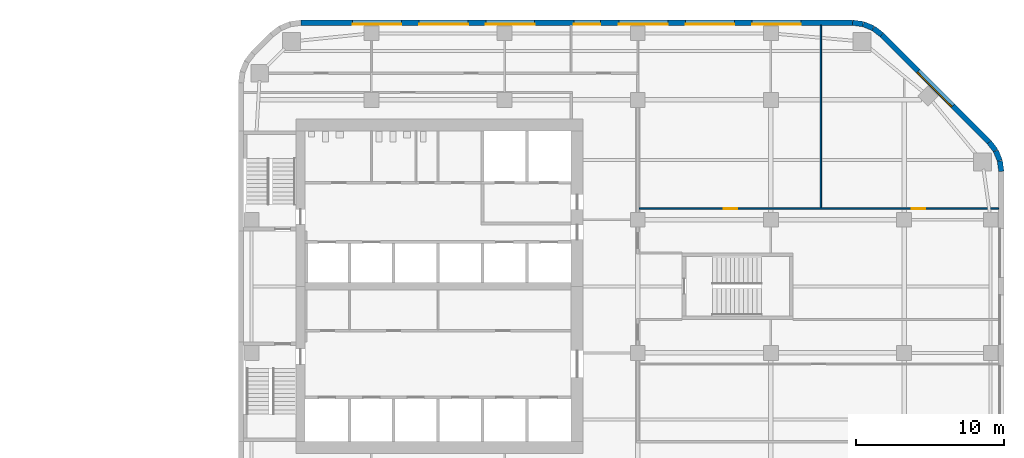
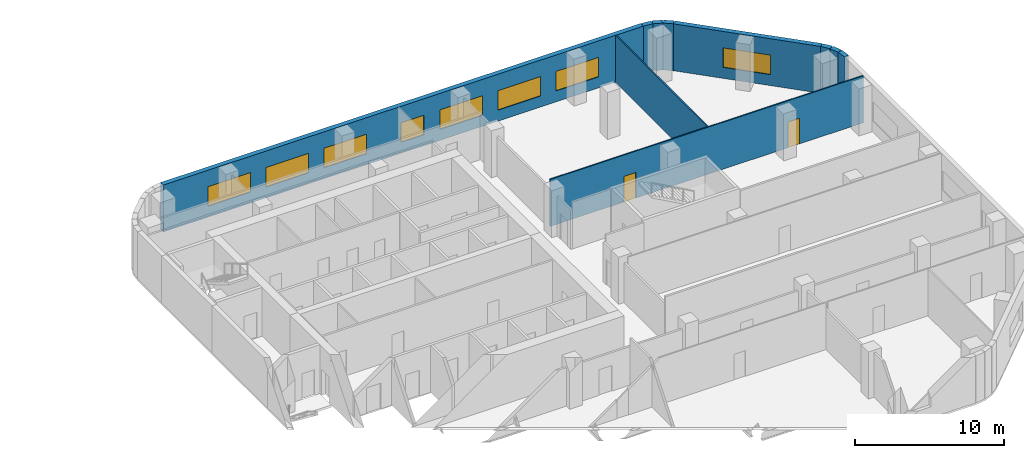
# One storey, part 11 of 15: 10 walls, 8 windows, 2 doors, 10 openings.
"""IFC4 building model written with IfcOpenShell, lengths in metres."""

from ifc_helpers import new_model, si_unit, direction, frame, frame_2d, origin, place, context, subcontext, project, spatial, rectangle, extrude, material, layer, layer_set, type_object, element, fill, save


model = new_model("IFC4")

# Units and contexts
model_context = context("Model", 3, precision=1e-05, world=origin(), true_north=direction((0.0, 1.0)))
body_context = subcontext(model_context, "Body", "Model", "MODEL_VIEW")
ifc_project = project(units=[si_unit("LENGTHUNIT", "METRE"), si_unit("AREAUNIT", "SQUARE_METRE"), si_unit("VOLUMEUNIT", "CUBIC_METRE"), si_unit("PLANEANGLEUNIT", "RADIAN"), si_unit("MASSUNIT", "GRAM", prefix="KILO")], contexts=[model_context])

# Site, building, storey
site_placement = place(None, origin())
site = spatial("IfcSite", under=ifc_project, at=site_placement, CompositionType="ELEMENT")
building_placement = place(site_placement, origin())
building = spatial("IfcBuilding", under=site, at=building_placement, Name="Cinnabar Reach Civic Tower", CompositionType="ELEMENT")
storey_placement = place(building_placement, frame((0.0, 0.0, 120.0)))
storey = spatial("IfcBuildingStorey", under=building, at=storey_placement, Name="L28", CompositionType="ELEMENT", Elevation=120.0)

# Walls
ifc_material_1 = material(Name="Facing brick with insulated backing", Category="masonry")
ifc_layer_1 = layer(ifc_material_1, 0.36)
ifc_layer_set_1 = layer_set([ifc_layer_1], Name="Brick corner wall")
wall_type_1 = type_object("IfcWallType", Name="Brick corner wall", PredefinedType="STANDARD", material=ifc_layer_set_1)
for number, where, z_axis, x_axis, name in (
    (1, (51.567, 39.2686, 0.0), (0.0, 0.0, 1.0), (-0.13055608231, 0.99144092581, 0.0), "Brick corner wall"),
    (2, (51.4681, 39.9973, 0.0), (0.0, 0.0, 1.0), (-0.382702709855, 0.923871547278, 0.0), "Brick corner wall"),
):
    element("IfcWall", number, at=place(storey_placement, frame(where, z_axis=z_axis, x_axis=x_axis)), inside=storey, type_object=wall_type_1, Name=name, PredefinedType="STANDARD", context=body_context, shape_type="SweptSolid", body=[
        extrude(rectangle(XDim=0.7131, YDim=0.36, at=frame_2d((0.3565, 0.0))), origin(), (0.0, 0.0, 1.0), 3.85),
    ])
for number, where, z_axis, x_axis, name in (
    (3, (51.184, 40.6755, 0.0), (0.0, 0.0, 1.0), (-0.608802368033, 0.793321924995, 0.0), "Brick corner wall"),
    (4, (43.4913, 48.4998, 0.0), (0.0, 0.0, 1.0), (-0.793321924995, 0.608802368033, 0.0), "Brick corner wall"),
):
    element("IfcWall", number, at=place(storey_placement, frame(where, z_axis=z_axis, x_axis=x_axis)), inside=storey, type_object=wall_type_1, Name=name, PredefinedType="STANDARD", context=body_context, shape_type="SweptSolid", body=[
        extrude(rectangle(XDim=0.7132, YDim=0.36, at=frame_2d((0.3566, 0.0))), origin(), (0.0, 0.0, 1.0), 3.85),
    ])
for number, where, z_axis, x_axis, name in (
    (5, (42.9061, 48.9452, 0.0), (0.0, 0.0, 1.0), (-0.923871547278, 0.382702709855, 0.0), "Brick corner wall"),
    (6, (42.2256, 49.2239, 0.0), (0.0, 0.0, 1.0), (-0.99144092581, 0.13055608231, 0.0), "Brick corner wall"),
):
    element("IfcWall", number, at=place(storey_placement, frame(where, z_axis=z_axis, x_axis=x_axis)), inside=storey, type_object=wall_type_1, Name=name, PredefinedType="STANDARD", context=body_context, shape_type="SweptSolid", body=[
        extrude(rectangle(XDim=0.7131, YDim=0.36, at=frame_2d((0.3565, 0.0))), origin(), (0.0, 0.0, 1.0), 3.85),
    ])

# Wall, opening, window
ifc_layer_2 = layer(ifc_material_1, 0.36)
ifc_layer_set_2 = layer_set([ifc_layer_2], Name="Brick pier and spandrel wall")
wall_type_2 = type_object("IfcWallType", Name="Brick pier and spandrel wall", PredefinedType="STANDARD", material=ifc_layer_set_2)
wall_1_placement = place(storey_placement, frame((50.744, 41.2514, 0.0), z_axis=(0.0, 0.0, 1.0), x_axis=(-0.707106781187, 0.707106781187, 0.0)))
wall_1 = element("IfcWall", 7, at=wall_1_placement, inside=storey, type_object=wall_type_2, Name="Brick facade wall", PredefinedType="STANDARD", context=body_context, shape_type="SweptSolid", body=[
    extrude(rectangle(XDim=10.2426, YDim=0.36, at=frame_2d((5.1213, 0.0))), origin(), (0.0, 0.0, 1.0), 3.85),
])
opening_1_placement = place(wall_1_placement, frame((3.4713, 0.0, 0.9)))
opening_1 = element("IfcOpeningElement", 8, at=opening_1_placement, cuts=wall_1, Name="Opening W1601", PredefinedType="OPENING", context=body_context, shape_type="SweptSolid", body=[
    extrude(rectangle(XDim=3.3, YDim=1.6, at=frame_2d((1.65, 0.8))), frame((0.0, 0.19, 0.0), z_axis=(0.0, -1.0, 0.0), x_axis=(1.0, 0.0, 0.0)), (0.0, 0.0, 1.0), 0.38),
])
ifc_material_2 = material(Name="Clear double glazing in aluminium frame", Category="aluminium")
window_type_1 = type_object("IfcWindowType", Name="Deep-set window A", PartitioningType="SINGLE_PANEL", PredefinedType="WINDOW", material=ifc_material_2)
window_1_placement = place(opening_1_placement, origin())
window_1 = element("IfcWindow", 9, at=window_1_placement, inside=storey, type_object=window_type_1, Name="Window northeast face", OverallHeight=1.6, OverallWidth=3.3, PartitioningType="SINGLE_PANEL", PredefinedType="WINDOW", context=body_context, shape_type="SweptSolid", body=[
    extrude(rectangle(XDim=3.3, YDim=1.6, at=frame_2d((1.65, 0.8))), frame((0.0, 0.13, 0.0), z_axis=(0.0, -1.0, 0.0), x_axis=(1.0, 0.0, 0.0)), (0.0, 0.0, 1.0), 0.06),
])
fill(opening_1, window_1)

# Wall, openings, windows
wall_2_placement = place(storey_placement, frame((41.5074, 49.32, 0.0), z_axis=(0.0, 0.0, 1.0), x_axis=(-1.0, 0.0, 0.0)))
wall_2 = element("IfcWall", 10, at=wall_2_placement, inside=storey, type_object=wall_type_2, Name="Brick facade wall", PredefinedType="STANDARD", context=body_context, shape_type="SweptSolid", body=[
    extrude(rectangle(XDim=37.2648, YDim=0.36, at=frame_2d((18.6324, 0.0))), origin(), (0.0, 0.0, 1.0), 3.85),
])
opening_2_placement = place(wall_2_placement, frame((3.4824, 0.0, 0.9)))
opening_2 = element("IfcOpeningElement", 11, at=opening_2_placement, cuts=wall_2, Name="Opening W1602", PredefinedType="OPENING", context=body_context, shape_type="SweptSolid", body=[
    extrude(rectangle(XDim=3.3, YDim=1.6, at=frame_2d((1.65, 0.8))), frame((0.0, 0.19, 0.0), z_axis=(0.0, -1.0, 0.0), x_axis=(1.0, 0.0, 0.0)), (0.0, 0.0, 1.0), 0.38),
])
opening_3_placement = place(wall_2_placement, frame((7.9824, 0.0, 0.9)))
opening_3 = element("IfcOpeningElement", 12, at=opening_3_placement, cuts=wall_2, Name="Opening W1603", PredefinedType="OPENING", context=body_context, shape_type="SweptSolid", body=[
    extrude(rectangle(XDim=3.3, YDim=1.6, at=frame_2d((1.65, 0.8))), frame((0.0, 0.19, 0.0), z_axis=(0.0, -1.0, 0.0), x_axis=(1.0, 0.0, 0.0)), (0.0, 0.0, 1.0), 0.38),
])
opening_4_placement = place(wall_2_placement, frame((12.4824, 0.0, 0.9)))
opening_4 = element("IfcOpeningElement", 13, at=opening_4_placement, cuts=wall_2, Name="Opening W1604", PredefinedType="OPENING", context=body_context, shape_type="SweptSolid", body=[
    extrude(rectangle(XDim=3.3, YDim=1.6, at=frame_2d((1.65, 0.8))), frame((0.0, 0.19, 0.0), z_axis=(0.0, -1.0, 0.0), x_axis=(1.0, 0.0, 0.0)), (0.0, 0.0, 1.0), 0.38),
])
opening_5_placement = place(wall_2_placement, frame((17.0324, 0.0, 0.9)))
opening_5 = element("IfcOpeningElement", 14, at=opening_5_placement, cuts=wall_2, Name="Opening W1605", PredefinedType="OPENING", context=body_context, shape_type="SweptSolid", body=[
    extrude(rectangle(XDim=1.8, YDim=1.6, at=frame_2d((0.9, 0.8))), frame((0.0, 0.19, 0.0), z_axis=(0.0, -1.0, 0.0), x_axis=(1.0, 0.0, 0.0)), (0.0, 0.0, 1.0), 0.38),
])
opening_6_placement = place(wall_2_placement, frame((21.4824, 0.0, 0.9)))
opening_6 = element("IfcOpeningElement", 15, at=opening_6_placement, cuts=wall_2, Name="Opening W1606", PredefinedType="OPENING", context=body_context, shape_type="SweptSolid", body=[
    extrude(rectangle(XDim=3.3, YDim=1.6, at=frame_2d((1.65, 0.8))), frame((0.0, 0.19, 0.0), z_axis=(0.0, -1.0, 0.0), x_axis=(1.0, 0.0, 0.0)), (0.0, 0.0, 1.0), 0.38),
])
opening_7_placement = place(wall_2_placement, frame((25.9824, 0.0, 0.9)))
opening_7 = element("IfcOpeningElement", 16, at=opening_7_placement, cuts=wall_2, Name="Opening W1607", PredefinedType="OPENING", context=body_context, shape_type="SweptSolid", body=[
    extrude(rectangle(XDim=3.3, YDim=1.6, at=frame_2d((1.65, 0.8))), frame((0.0, 0.19, 0.0), z_axis=(0.0, -1.0, 0.0), x_axis=(1.0, 0.0, 0.0)), (0.0, 0.0, 1.0), 0.38),
])
opening_8_placement = place(wall_2_placement, frame((30.4824, 0.0, 0.9)))
opening_8 = element("IfcOpeningElement", 17, at=opening_8_placement, cuts=wall_2, Name="Opening W1608", PredefinedType="OPENING", context=body_context, shape_type="SweptSolid", body=[
    extrude(rectangle(XDim=3.3, YDim=1.6, at=frame_2d((1.65, 0.8))), frame((0.0, 0.19, 0.0), z_axis=(0.0, -1.0, 0.0), x_axis=(1.0, 0.0, 0.0)), (0.0, 0.0, 1.0), 0.38),
])
window_2_placement = place(opening_2_placement, origin())
window_2 = element("IfcWindow", 18, at=window_2_placement, inside=storey, type_object=window_type_1, Name="Window north face", OverallHeight=1.6, OverallWidth=3.3, PartitioningType="SINGLE_PANEL", PredefinedType="WINDOW", context=body_context, shape_type="SweptSolid", body=[
    extrude(rectangle(XDim=3.3, YDim=1.6, at=frame_2d((1.65, 0.8))), frame((0.0, 0.13, 0.0), z_axis=(0.0, -1.0, 0.0), x_axis=(1.0, 0.0, 0.0)), (0.0, 0.0, 1.0), 0.06),
])
fill(opening_2, window_2)
window_3_placement = place(opening_3_placement, origin())
window_3 = element("IfcWindow", 19, at=window_3_placement, inside=storey, type_object=window_type_1, Name="Window north face", OverallHeight=1.6, OverallWidth=3.3, PartitioningType="SINGLE_PANEL", PredefinedType="WINDOW", context=body_context, shape_type="SweptSolid", body=[
    extrude(rectangle(XDim=3.3, YDim=1.6, at=frame_2d((1.65, 0.8))), frame((0.0, 0.13, 0.0), z_axis=(0.0, -1.0, 0.0), x_axis=(1.0, 0.0, 0.0)), (0.0, 0.0, 1.0), 0.06),
])
fill(opening_3, window_3)
window_4_placement = place(opening_4_placement, origin())
window_4 = element("IfcWindow", 20, at=window_4_placement, inside=storey, type_object=window_type_1, Name="Window north face", OverallHeight=1.6, OverallWidth=3.3, PartitioningType="SINGLE_PANEL", PredefinedType="WINDOW", context=body_context, shape_type="SweptSolid", body=[
    extrude(rectangle(XDim=3.3, YDim=1.6, at=frame_2d((1.65, 0.8))), frame((0.0, 0.13, 0.0), z_axis=(0.0, -1.0, 0.0), x_axis=(1.0, 0.0, 0.0)), (0.0, 0.0, 1.0), 0.06),
])
fill(opening_4, window_4)
window_5_placement = place(opening_6_placement, origin())
window_5 = element("IfcWindow", 21, at=window_5_placement, inside=storey, type_object=window_type_1, Name="Window north face", OverallHeight=1.6, OverallWidth=3.3, PartitioningType="SINGLE_PANEL", PredefinedType="WINDOW", context=body_context, shape_type="SweptSolid", body=[
    extrude(rectangle(XDim=3.3, YDim=1.6, at=frame_2d((1.65, 0.8))), frame((0.0, 0.13, 0.0), z_axis=(0.0, -1.0, 0.0), x_axis=(1.0, 0.0, 0.0)), (0.0, 0.0, 1.0), 0.06),
])
fill(opening_6, window_5)
window_6_placement = place(opening_7_placement, origin())
window_6 = element("IfcWindow", 22, at=window_6_placement, inside=storey, type_object=window_type_1, Name="Window north face", OverallHeight=1.6, OverallWidth=3.3, PartitioningType="SINGLE_PANEL", PredefinedType="WINDOW", context=body_context, shape_type="SweptSolid", body=[
    extrude(rectangle(XDim=3.3, YDim=1.6, at=frame_2d((1.65, 0.8))), frame((0.0, 0.13, 0.0), z_axis=(0.0, -1.0, 0.0), x_axis=(1.0, 0.0, 0.0)), (0.0, 0.0, 1.0), 0.06),
])
fill(opening_7, window_6)
window_7_placement = place(opening_8_placement, origin())
window_7 = element("IfcWindow", 23, at=window_7_placement, inside=storey, type_object=window_type_1, Name="Window north face", OverallHeight=1.6, OverallWidth=3.3, PartitioningType="SINGLE_PANEL", PredefinedType="WINDOW", context=body_context, shape_type="SweptSolid", body=[
    extrude(rectangle(XDim=3.3, YDim=1.6, at=frame_2d((1.65, 0.8))), frame((0.0, 0.13, 0.0), z_axis=(0.0, -1.0, 0.0), x_axis=(1.0, 0.0, 0.0)), (0.0, 0.0, 1.0), 0.06),
])
fill(opening_8, window_7)
window_type_2 = type_object("IfcWindowType", Name="Deep-set window D", PartitioningType="SINGLE_PANEL", PredefinedType="WINDOW", material=ifc_material_2)
window_8_placement = place(opening_5_placement, origin())
window_8 = element("IfcWindow", 24, at=window_8_placement, inside=storey, type_object=window_type_2, Name="Window north face", OverallHeight=1.6, OverallWidth=1.8, PartitioningType="SINGLE_PANEL", PredefinedType="WINDOW", context=body_context, shape_type="SweptSolid", body=[
    extrude(rectangle(XDim=1.8, YDim=1.6, at=frame_2d((0.9, 0.8))), frame((0.0, 0.13, 0.0), z_axis=(0.0, -1.0, 0.0), x_axis=(1.0, 0.0, 0.0)), (0.0, 0.0, 1.0), 0.06),
])
fill(opening_5, window_8)

# Wall, openings, doors
ifc_material_3 = material(Name="Gypsum board on steel studs", Category="steel")
ifc_layer_3 = layer(ifc_material_3, 0.1)
ifc_layer_set_3 = layer_set([ifc_layer_3], Name="Partition wall 100 T1")
wall_type_3 = type_object("IfcWallType", Name="Partition wall 100 T1", PredefinedType="PARTITIONING", material=ifc_layer_set_3)
wall_3_placement = place(storey_placement, frame((27.075, 36.75, 0.0), z_axis=(0.0, 0.0, 1.0), x_axis=(1.0, 0.0, 0.0)))
wall_3 = element("IfcWall", 25, at=wall_3_placement, inside=storey, type_object=wall_type_3, Name="Partition wall 52", PredefinedType="PARTITIONING", context=body_context, shape_type="SweptSolid", body=[
    extrude(rectangle(XDim=24.315, YDim=0.1, at=frame_2d((12.1575, 0.0))), origin(), (0.0, 0.0, 1.0), 3.85),
])
opening_9_placement = place(wall_3_placement, frame((5.75, 0.0, 0.0)))
opening_9 = element("IfcOpeningElement", 26, at=opening_9_placement, cuts=wall_3, Name="Opening D4154", PredefinedType="OPENING", context=body_context, shape_type="SweptSolid", body=[
    extrude(rectangle(XDim=0.9, YDim=2.1, at=frame_2d((0.45, 1.05))), frame((0.0, 0.06, 0.0), z_axis=(0.0, -1.0, 0.0), x_axis=(1.0, 0.0, 0.0)), (0.0, 0.0, 1.0), 0.12),
])
opening_10_placement = place(wall_3_placement, frame((18.45, 0.0, 0.0)))
opening_10 = element("IfcOpeningElement", 27, at=opening_10_placement, cuts=wall_3, Name="Opening D4155", PredefinedType="OPENING", context=body_context, shape_type="SweptSolid", body=[
    extrude(rectangle(XDim=0.9, YDim=2.1, at=frame_2d((0.45, 1.05))), frame((0.0, 0.06, 0.0), z_axis=(0.0, -1.0, 0.0), x_axis=(1.0, 0.0, 0.0)), (0.0, 0.0, 1.0), 0.12),
])
ifc_material_4 = material(Name="Timber door leaf in steel frame", Category="steel")
door_type = type_object("IfcDoorType", Name="Single swing door 900 x 2100 T1", OperationType="SINGLE_SWING_LEFT", PredefinedType="DOOR", material=ifc_material_4)
door_1_placement = place(opening_9_placement, frame((0.9, 0.0, 0.0), z_axis=(0.0, 0.0, 1.0), x_axis=(-1.0, 0.0, 0.0)))
door_1 = element("IfcDoor", 28, at=door_1_placement, inside=storey, type_object=door_type, Name="Door D4154", OperationType="SINGLE_SWING_RIGHT", OverallHeight=2.1, OverallWidth=0.9, PredefinedType="DOOR", context=body_context, shape_type="SweptSolid", body=[
    extrude(rectangle(XDim=0.9, YDim=2.1, at=frame_2d((0.45, 1.05))), frame((0.0, 0.025, 0.0), z_axis=(0.0, -1.0, 0.0), x_axis=(1.0, 0.0, 0.0)), (0.0, 0.0, 1.0), 0.05),
])
fill(opening_9, door_1)
door_2_placement = place(opening_10_placement, origin())
door_2 = element("IfcDoor", 29, at=door_2_placement, inside=storey, type_object=door_type, Name="Door D4155", OperationType="SINGLE_SWING_LEFT", OverallHeight=2.1, OverallWidth=0.9, PredefinedType="DOOR", context=body_context, shape_type="SweptSolid", body=[
    extrude(rectangle(XDim=0.9, YDim=2.1, at=frame_2d((0.45, 1.05))), frame((0.0, 0.025, 0.0), z_axis=(0.0, -1.0, 0.0), x_axis=(1.0, 0.0, 0.0)), (0.0, 0.0, 1.0), 0.05),
])
fill(opening_10, door_2)

# Wall
wall_4_placement = place(storey_placement, frame((39.375, 36.8, 0.0), z_axis=(0.0, 0.0, 1.0), x_axis=(0.0, 1.0, 0.0)))
element("IfcWall", 30, at=wall_4_placement, inside=storey, type_object=wall_type_3, Name="Partition wall 53", PredefinedType="PARTITIONING", context=body_context, shape_type="SweptSolid", body=[
    extrude(rectangle(XDim=12.34, YDim=0.1, at=frame_2d((6.17, 0.0))), origin(), (0.0, 0.0, 1.0), 3.85),
])

save(model, "model.ifc")
